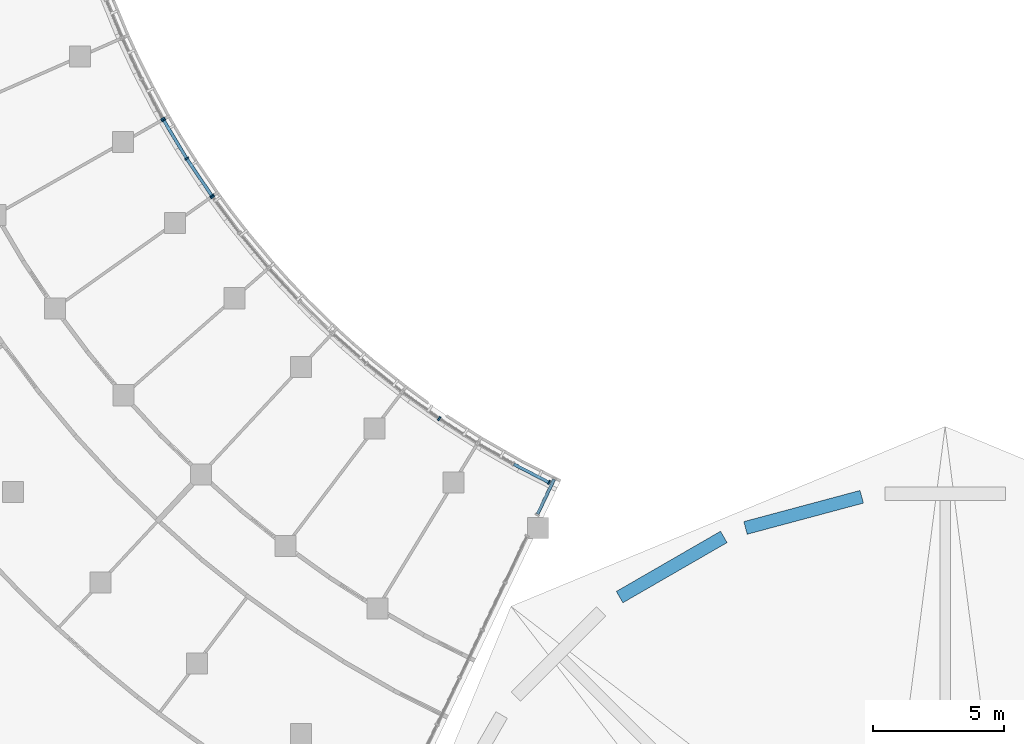
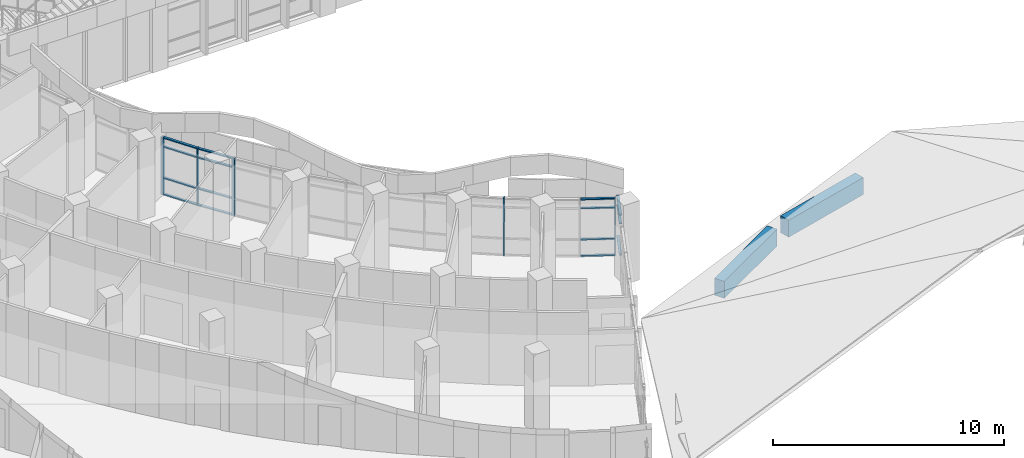
# One storey, part 20 of 137: 22 members, 2 beams, 6 elements without a shape of their own.
"""IFC4 building model written with IfcOpenShell, lengths in metres."""

from ifc_helpers import new_model, si_unit, direction, frame, origin, origin_2d, place, context, subcontext, project, spatial, rectangle, extrude, material, material_profile, profile_set, type_object, element, aggregate, save


model = new_model("IFC4")

# Units and contexts
model_context = context("Model", 3, precision=1e-05, world=origin(), true_north=direction((0.0, 1.0)))
body_context = subcontext(model_context, "Body", "Model", "MODEL_VIEW")
ifc_project = project(units=[si_unit("LENGTHUNIT", "METRE"), si_unit("AREAUNIT", "SQUARE_METRE"), si_unit("VOLUMEUNIT", "CUBIC_METRE"), si_unit("PLANEANGLEUNIT", "RADIAN"), si_unit("MASSUNIT", "GRAM", prefix="KILO")], contexts=[model_context])

# Site, building, storey
site_placement = place(None, origin())
site = spatial("IfcSite", under=ifc_project, at=site_placement, CompositionType="ELEMENT")
building_placement = place(site_placement, origin())
building = spatial("IfcBuilding", under=site, at=building_placement, Name="Bougainvillea Quay General Hospital", CompositionType="ELEMENT")
storey_placement = place(building_placement, frame((0.0, 0.0, 16.800048828125)))
storey = spatial("IfcBuildingStorey", under=building, at=storey_placement, Name="L03", CompositionType="ELEMENT", Elevation=16.800048828125)

# Curtain wall, member
ifc_material_1 = material(Name="Aluminium curtain wall system, powder-coated glazed", Category="aluminium")
curtain_wall_type_1 = type_object("IfcCurtainWallType", Name="Unitised curtain wall CW-2100", PredefinedType="NOTDEFINED", material=ifc_material_1)
curtain_wall_1_placement = place(storey_placement, origin())
curtain_wall_1 = element("IfcCurtainWall", 1, at=curtain_wall_1_placement, inside=storey, type_object=curtain_wall_type_1, Name="CW-W01 a03b0", PredefinedType="NOTDEFINED")
ifc_material_2 = material(Name="Aluminium mullion, powder-coated charcoal", Category="aluminium")
ifc_material_profile_1 = material_profile(ifc_material_2, rectangle(XDim=0.159912109375, YDim=0.06005859375, at=origin_2d()))
ifc_profile_set_1 = profile_set([ifc_material_profile_1], Name="Aluminium mullion, powder-coated charcoal")
member_type_1 = type_object("IfcMemberType", Name="Curtain wall mullion 160x60", PredefinedType="MULLION", material=ifc_profile_set_1)
member_1_placement = place(storey_placement, frame((94.120361328125, 95.2490234375, 0.0), z_axis=(0.0, 0.0, 1.0), x_axis=(-0.459924477228, -0.887958036873, 0.0)))
member_1 = element("IfcMember", 2, at=member_1_placement, type_object=member_type_1, Name="CW-W01 mullion 1", PredefinedType="MULLION", context=body_context, shape_type="SweptSolid", body=[
    extrude(rectangle(XDim=0.159912109375, YDim=0.06005859375, at=origin_2d()), origin(), (0.0, 0.0, 1.0), 3.050048828125),
])

curtain_wall_2_placement = place(storey_placement, origin())
curtain_wall_2 = element("IfcCurtainWall", 3, at=curtain_wall_2_placement, inside=storey, type_object=curtain_wall_type_1, Name="CW-W02 a03b1", PredefinedType="NOTDEFINED")
member_2_placement = place(storey_placement, frame((89.939697265625, 97.6787109375, 0.0), z_axis=(0.0, 0.0, 1.0), x_axis=(-0.562343185136, -0.826903949762, 0.0)))
member_2 = element("IfcMember", 4, at=member_2_placement, type_object=member_type_1, Name="CW-W02 mullion 2", PredefinedType="MULLION", context=body_context, shape_type="SweptSolid", body=[
    extrude(rectangle(XDim=0.159912109375, YDim=0.06005859375, at=origin_2d()), origin(), (0.0, 0.0, 1.0), 3.050048828125),
])
aggregate(curtain_wall_2, [member_2])

curtain_wall_3_placement = place(storey_placement, origin())
curtain_wall_3 = element("IfcCurtainWall", 5, at=curtain_wall_3_placement, inside=storey, type_object=curtain_wall_type_1, Name="CW-W05 a03b4", PredefinedType="NOTDEFINED")
member_3_placement = place(storey_placement, frame((81.313720703125, 106.1162109375, 0.0), z_axis=(0.0, 0.0, 1.0), x_axis=(-0.799758007688, -0.600322520933, 0.0)))
member_3 = element("IfcMember", 6, at=member_3_placement, type_object=member_type_1, Name="CW-W05 mullion 3", PredefinedType="MULLION", context=body_context, shape_type="SweptSolid", body=[
    extrude(rectangle(XDim=0.159912109375, YDim=0.06005859375, at=origin_2d()), origin(), (0.0, 0.0, 1.0), 3.050048828125),
])
aggregate(curtain_wall_3, [member_3])

# Curtain wall, members
curtain_wall_4_placement = place(storey_placement, origin())
curtain_wall_4 = element("IfcCurtainWall", 7, at=curtain_wall_4_placement, inside=storey, type_object=curtain_wall_type_1, Name="CW-W06 a03b5", PredefinedType="NOTDEFINED")
member_4_placement = place(storey_placement, frame((81.279052734375, 106.1650390625, 0.0), z_axis=(0.0, 0.0, 1.0), x_axis=(-0.82916442806, -0.55900478642, 0.0)))
member_4 = element("IfcMember", 8, at=member_4_placement, type_object=member_type_1, Name="CW-W06 mullion 1", PredefinedType="MULLION", context=body_context, shape_type="SweptSolid", body=[
    extrude(rectangle(XDim=0.159912109375, YDim=0.06005859375, at=origin_2d()), origin(), (0.0, 0.0, 1.0), 3.050048828125),
])
member_5_placement = place(storey_placement, frame((80.32470703125, 107.580322265625, 0.0), z_axis=(0.0, 0.0, 1.0), x_axis=(-0.843072457331, -0.537799992275, 0.0)))
member_5 = element("IfcMember", 9, at=member_5_placement, type_object=member_type_1, Name="CW-W06 mullion 2", PredefinedType="MULLION", context=body_context, shape_type="SweptSolid", body=[
    extrude(rectangle(XDim=0.159912109375, YDim=0.06005859375, at=origin_2d()), origin(), (0.0, 0.0, 1.0), 3.050048828125),
])
member_6_placement = place(storey_placement, frame((79.443603515625, 109.042236328125, 0.0), z_axis=(0.0, 0.0, 1.0), x_axis=(-0.856438326455, -0.516249351553, 0.0)))
member_6 = element("IfcMember", 10, at=member_6_placement, type_object=member_type_1, Name="CW-W06 mullion 3", PredefinedType="MULLION", context=body_context, shape_type="SweptSolid", body=[
    extrude(rectangle(XDim=0.159912109375, YDim=0.06005859375, at=origin_2d()), origin(), (0.0, 0.0, 1.0), 3.050048828125),
])

# Curtain wall, member
curtain_wall_5_placement = place(storey_placement, origin())
curtain_wall_5 = element("IfcCurtainWall", 11, at=curtain_wall_5_placement, inside=storey, type_object=curtain_wall_type_1, Name="CW-W07 a03b6", PredefinedType="NOTDEFINED")
member_7_placement = place(storey_placement, frame((79.4140625, 109.094482421875, 0.0), z_axis=(0.0, 0.0, 1.0), x_axis=(-0.881509557333, -0.472166178724, 0.0)))
member_7 = element("IfcMember", 12, at=member_7_placement, type_object=member_type_1, Name="CW-W07 mullion 1", PredefinedType="MULLION", context=body_context, shape_type="SweptSolid", body=[
    extrude(rectangle(XDim=0.159912109375, YDim=0.06005859375, at=origin_2d()), origin(), (0.0, 0.0, 1.0), 3.050048828125),
])
aggregate(curtain_wall_5, [member_7])

# Curtain wall, members
curtain_wall_type_2 = type_object("IfcCurtainWallType", Name="Unitised curtain wall CW-1580", PredefinedType="NOTDEFINED", material=ifc_material_1)
curtain_wall_6_placement = place(storey_placement, origin())
curtain_wall_6 = element("IfcCurtainWall", 13, at=curtain_wall_6_placement, inside=storey, type_object=curtain_wall_type_2, Name="CW-AE 03", PredefinedType="NOTDEFINED")
ifc_material_3 = material(Name="Aluminium transom, powder-coated charcoal", Category="aluminium")
ifc_material_profile_2 = material_profile(ifc_material_3, rectangle(XDim=0.1201171875, YDim=0.06005859375, at=origin_2d()))
ifc_profile_set_2 = profile_set([ifc_material_profile_2], Name="Aluminium transom, powder-coated charcoal")
member_type_2 = type_object("IfcMemberType", Name="Curtain wall transom 120x60", PredefinedType="USERDEFINED", material=ifc_profile_set_2)
member_8_placement = place(storey_placement, frame((93.68310546875, 94.0478515625, 0.89990234375), z_axis=(0.430478813346, 0.902600682063, 0.0), x_axis=(-0.902600682063, 0.430478813346, 0.0)))
member_8 = element("IfcMember", 14, at=member_8_placement, type_object=member_type_2, Name="CW-AE transom 1.2", ObjectType="TRANSOM", PredefinedType="USERDEFINED", context=body_context, shape_type="SweptSolid", body=[
    extrude(rectangle(XDim=0.1201171875, YDim=0.06005859375, at=origin_2d()), origin(), (0.0, 0.0, 1.0), 1.459716796875),
])
member_9_placement = place(storey_placement, frame((93.68310546875, 94.0478515625, 2.550048828125), z_axis=(0.430478813346, 0.902600682063, 0.0), x_axis=(-0.902600682063, 0.430478813346, 0.0)))
member_9 = element("IfcMember", 15, at=member_9_placement, type_object=member_type_2, Name="CW-AE transom 1.3", ObjectType="TRANSOM", PredefinedType="USERDEFINED", context=body_context, shape_type="SweptSolid", body=[
    extrude(rectangle(XDim=0.1201171875, YDim=0.06005859375, at=origin_2d()), origin(), (0.0, 0.0, 1.0), 1.459716796875),
])
member_10_placement = place(storey_placement, frame((93.68310546875, 94.0478515625, 3.02001953125), z_axis=(0.430478813346, 0.902600682063, 0.0), x_axis=(-0.902600682063, 0.430478813346, 0.0)))
member_10 = element("IfcMember", 16, at=member_10_placement, type_object=member_type_2, Name="CW-AE transom 1.4", ObjectType="TRANSOM", PredefinedType="USERDEFINED", context=body_context, shape_type="SweptSolid", body=[
    extrude(rectangle(XDim=0.1201171875, YDim=0.06005859375, at=origin_2d()), origin(), (0.0, 0.0, 1.0), 1.459716796875),
])
aggregate(curtain_wall_6, [member_8, member_9, member_10])

# Member
member_11_placement = place(storey_placement, frame((94.09375, 95.262939453125, 0.030029296875), z_axis=(-0.887984759124, 0.459872881961, 0.0), x_axis=(-0.459872881961, -0.887984759124, 0.0)))
member_11 = element("IfcMember", 17, at=member_11_placement, type_object=member_type_2, Name="CW-W01 transom 1.1", ObjectType="TRANSOM", PredefinedType="USERDEFINED", context=body_context, shape_type="SweptSolid", body=[
    extrude(rectangle(XDim=0.1201171875, YDim=0.06005859375, at=origin_2d()), origin(), (0.0, 0.0, 1.0), 1.475830078125),
])

member_12_placement = place(storey_placement, frame((94.09375, 95.262939453125, 0.89990234375), z_axis=(-0.887984759124, 0.459872881961, 0.0), x_axis=(-0.459872881961, -0.887984759124, 0.0)))
member_12 = element("IfcMember", 18, at=member_12_placement, type_object=member_type_2, Name="CW-W01 transom 1.2", ObjectType="TRANSOM", PredefinedType="USERDEFINED", context=body_context, shape_type="SweptSolid", body=[
    extrude(rectangle(XDim=0.1201171875, YDim=0.06005859375, at=origin_2d()), origin(), (0.0, 0.0, 1.0), 1.475830078125),
])

member_13_placement = place(storey_placement, frame((94.09375, 95.262939453125, 2.550048828125), z_axis=(-0.887984759124, 0.459872881961, 0.0), x_axis=(-0.459872881961, -0.887984759124, 0.0)))
member_13 = element("IfcMember", 19, at=member_13_placement, type_object=member_type_2, Name="CW-W01 transom 1.3", ObjectType="TRANSOM", PredefinedType="USERDEFINED", context=body_context, shape_type="SweptSolid", body=[
    extrude(rectangle(XDim=0.1201171875, YDim=0.06005859375, at=origin_2d()), origin(), (0.0, 0.0, 1.0), 1.475830078125),
])

member_14_placement = place(storey_placement, frame((94.09375, 95.262939453125, 3.02001953125), z_axis=(-0.887984759124, 0.459872881961, 0.0), x_axis=(-0.459872881961, -0.887984759124, 0.0)))
member_14 = element("IfcMember", 20, at=member_14_placement, type_object=member_type_2, Name="CW-W01 transom 1.4", ObjectType="TRANSOM", PredefinedType="USERDEFINED", context=body_context, shape_type="SweptSolid", body=[
    extrude(rectangle(XDim=0.1201171875, YDim=0.06005859375, at=origin_2d()), origin(), (0.0, 0.0, 1.0), 1.475830078125),
])

aggregate(curtain_wall_1, [member_1, member_11, member_12, member_13, member_14])

member_15_placement = place(storey_placement, frame((81.26220703125, 106.18994140625, 0.030029296875), z_axis=(-0.559037395343, 0.829142442894, 0.0), x_axis=(-0.829142442894, -0.559037395343, 0.0)))
member_15 = element("IfcMember", 21, at=member_15_placement, type_object=member_type_2, Name="CW-W06 transom 1.1", ObjectType="TRANSOM", PredefinedType="USERDEFINED", context=body_context, shape_type="SweptSolid", body=[
    extrude(rectangle(XDim=0.1201171875, YDim=0.06005859375, at=origin_2d()), origin(), (0.0, 0.0, 1.0), 1.64697265625),
])

member_16_placement = place(storey_placement, frame((81.26220703125, 106.18994140625, 0.89990234375), z_axis=(-0.559037395343, 0.829142442894, 0.0), x_axis=(-0.829142442894, -0.559037395343, 0.0)))
member_16 = element("IfcMember", 22, at=member_16_placement, type_object=member_type_2, Name="CW-W06 transom 1.2", ObjectType="TRANSOM", PredefinedType="USERDEFINED", context=body_context, shape_type="SweptSolid", body=[
    extrude(rectangle(XDim=0.1201171875, YDim=0.06005859375, at=origin_2d()), origin(), (0.0, 0.0, 1.0), 1.64697265625),
])

member_17_placement = place(storey_placement, frame((81.26220703125, 106.18994140625, 2.550048828125), z_axis=(-0.559037395343, 0.829142442894, 0.0), x_axis=(-0.829142442894, -0.559037395343, 0.0)))
member_17 = element("IfcMember", 23, at=member_17_placement, type_object=member_type_2, Name="CW-W06 transom 1.3", ObjectType="TRANSOM", PredefinedType="USERDEFINED", context=body_context, shape_type="SweptSolid", body=[
    extrude(rectangle(XDim=0.1201171875, YDim=0.06005859375, at=origin_2d()), origin(), (0.0, 0.0, 1.0), 1.64697265625),
])

member_18_placement = place(storey_placement, frame((81.26220703125, 106.18994140625, 3.02001953125), z_axis=(-0.559037395343, 0.829142442894, 0.0), x_axis=(-0.829142442894, -0.559037395343, 0.0)))
member_18 = element("IfcMember", 24, at=member_18_placement, type_object=member_type_2, Name="CW-W06 transom 1.4", ObjectType="TRANSOM", PredefinedType="USERDEFINED", context=body_context, shape_type="SweptSolid", body=[
    extrude(rectangle(XDim=0.1201171875, YDim=0.06005859375, at=origin_2d()), origin(), (0.0, 0.0, 1.0), 1.64697265625),
])

member_19_placement = place(storey_placement, frame((80.309326171875, 107.606201171875, 0.030029296875), z_axis=(-0.516217069017, 0.856457785098, 0.0), x_axis=(-0.856457785098, -0.516217069017, 0.0)))
member_19 = element("IfcMember", 25, at=member_19_placement, type_object=member_type_2, Name="CW-W06 transom 2.1", ObjectType="TRANSOM", PredefinedType="USERDEFINED", context=body_context, shape_type="SweptSolid", body=[
    extrude(rectangle(XDim=0.1201171875, YDim=0.06005859375, at=origin_2d()), origin(), (0.0, 0.0, 1.0), 1.646728515625),
])

member_20_placement = place(storey_placement, frame((80.309326171875, 107.606201171875, 0.89990234375), z_axis=(-0.516217069017, 0.856457785098, 0.0), x_axis=(-0.856457785098, -0.516217069017, 0.0)))
member_20 = element("IfcMember", 26, at=member_20_placement, type_object=member_type_2, Name="CW-W06 transom 2.2", ObjectType="TRANSOM", PredefinedType="USERDEFINED", context=body_context, shape_type="SweptSolid", body=[
    extrude(rectangle(XDim=0.1201171875, YDim=0.06005859375, at=origin_2d()), origin(), (0.0, 0.0, 1.0), 1.646728515625),
])

member_21_placement = place(storey_placement, frame((80.309326171875, 107.606201171875, 2.550048828125), z_axis=(-0.516217069017, 0.856457785098, 0.0), x_axis=(-0.856457785098, -0.516217069017, 0.0)))
member_21 = element("IfcMember", 27, at=member_21_placement, type_object=member_type_2, Name="CW-W06 transom 2.3", ObjectType="TRANSOM", PredefinedType="USERDEFINED", context=body_context, shape_type="SweptSolid", body=[
    extrude(rectangle(XDim=0.1201171875, YDim=0.06005859375, at=origin_2d()), origin(), (0.0, 0.0, 1.0), 1.646728515625),
])

member_22_placement = place(storey_placement, frame((80.309326171875, 107.606201171875, 3.02001953125), z_axis=(-0.516217069017, 0.856457785098, 0.0), x_axis=(-0.856457785098, -0.516217069017, 0.0)))
member_22 = element("IfcMember", 28, at=member_22_placement, type_object=member_type_2, Name="CW-W06 transom 2.4", ObjectType="TRANSOM", PredefinedType="USERDEFINED", context=body_context, shape_type="SweptSolid", body=[
    extrude(rectangle(XDim=0.1201171875, YDim=0.06005859375, at=origin_2d()), origin(), (0.0, 0.0, 1.0), 1.646728515625),
])

aggregate(curtain_wall_4, [member_4, member_5, member_6, member_15, member_16, member_17, member_18, member_19, member_20, member_21, member_22])

# Beams
ifc_material_4 = material(Name="Concrete C40", Category="concrete")
ifc_material_profile_3 = material_profile(ifc_material_4, rectangle(XDim=0.5, YDim=0.89990234375, at=origin_2d()))
ifc_profile_set_3 = profile_set([ifc_material_profile_3], Name="Concrete C40")
beam_type = type_object("IfcBeamType", Name="RC BEAM 500x900 C40", PredefinedType="BEAM", material=ifc_profile_set_3)
beam_1_placement = place(storey_placement, frame((106.0244140625, 94.70361328125, -0.0517578125), z_axis=(-0.965917606343, -0.258849720411, 0.0), x_axis=(0.258849720411, -0.965917606343, 0.0)))
element("IfcBeam", 29, at=beam_1_placement, inside=storey, type_object=beam_type, Name="Beam ROOF-V1-ER-07", PredefinedType="BEAM", context=body_context, shape_type="SweptSolid", body=[
    extrude(rectangle(XDim=0.5, YDim=0.89990234375, at=origin_2d()), origin(), (0.0, 0.0, 1.0), 4.58203125),
])
beam_2_placement = place(storey_placement, frame((100.774169921875, 93.176025390625, -0.0517578125), z_axis=(-0.866044519823, -0.499966888589, 0.0), x_axis=(0.499966888589, -0.866044519823, 0.0)))
element("IfcBeam", 30, at=beam_2_placement, inside=storey, type_object=beam_type, Name="Beam ROOF-V1-ER-08", PredefinedType="BEAM", context=body_context, shape_type="SweptSolid", body=[
    extrude(rectangle(XDim=0.5, YDim=0.89990234375, at=origin_2d()), origin(), (0.0, 0.0, 1.0), 4.582275390625),
])

save(model, "model.ifc")
